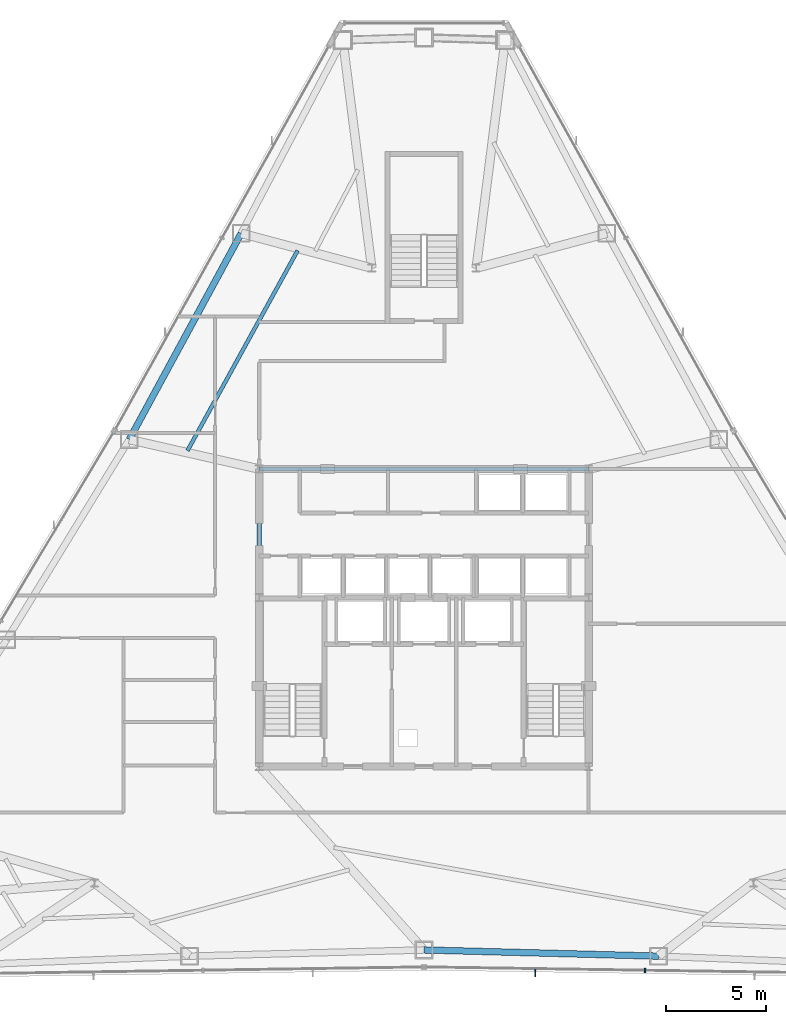
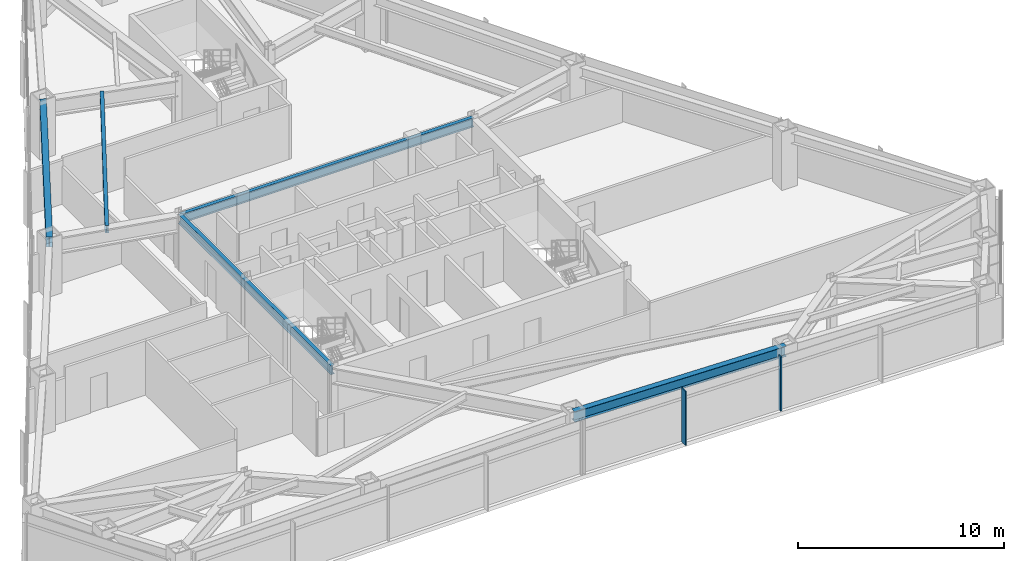
# One storey, part 5 of 13: 5 beams, 2 members, 1 element without a shape of its own.
"""IFC4 building model written with IfcOpenShell, lengths in metres."""

from ifc_helpers import new_model, si_unit, direction, frame, origin, origin_2d, place, context, subcontext, project, spatial, rectangle, i_section, extrude, source, transform, mapped, material, layer, layer_set, material_profile, profile_set, type_object, type_shapes, element, aggregate, save


model = new_model("IFC4")

# Units and contexts
model_context = context("Model", 3, precision=1e-05, world=origin(), true_north=direction((0.0, 1.0)))
body_context = subcontext(model_context, "Body", "Model", "MODEL_VIEW")
ifc_project = project(units=[si_unit("LENGTHUNIT", "METRE"), si_unit("AREAUNIT", "SQUARE_METRE"), si_unit("VOLUMEUNIT", "CUBIC_METRE"), si_unit("PLANEANGLEUNIT", "RADIAN"), si_unit("MASSUNIT", "GRAM", prefix="KILO")], contexts=[model_context])

# Site, building, storey
site_placement = place(None, origin())
site = spatial("IfcSite", under=ifc_project, at=site_placement, CompositionType="ELEMENT")
building_placement = place(site_placement, origin())
building = spatial("IfcBuilding", under=site, at=building_placement, Name="Varakhsha Concourse Tower", CompositionType="ELEMENT")
storey_placement = place(building_placement, frame((0.0, 0.0, 147.050048828125)))
storey = spatial("IfcBuildingStorey", under=building, at=storey_placement, Name="L42", CompositionType="ELEMENT", Elevation=147.050048828125)

# Beams
ifc_material_1 = material(Name="Structural Steel ASTM A992 Grade 50", Category="steel")
ifc_material_profile_1 = material_profile(ifc_material_1, i_section(OverallWidth=0.19091796875, OverallDepth=0.45703125, WebThickness=0.009033203125, FlangeThickness=0.013916015625, at=origin_2d()), Name="W18X50")
ifc_profile_set_1 = profile_set([ifc_material_profile_1], Name="Structural Steel ASTM A992 Grade 50")
beam_type_1 = type_object("IfcBeamType", Name="BM-JST-W18X50", PredefinedType="JOIST", material=ifc_profile_set_1)
beam_1_placement = place(storey_placement, frame((33.708984375, 42.07470703125, 2.9814453125), z_axis=(-0.482050703663, -0.876143321094, 0.0), x_axis=(0.876143321094, -0.482050703663, 0.0)))
element("IfcBeam", 1, at=beam_1_placement, inside=storey, type_object=beam_type_1, Name="BM-TJST-L42-04", PredefinedType="JOIST", context=body_context, shape_type="SweptSolid", body=[
    extrude(i_section(OverallWidth=0.19091796875, OverallDepth=0.45703125, WebThickness=0.009033203125, FlangeThickness=0.013916015625, at=origin_2d()), origin(), (0.0, 0.0, 1.0), 11.363525390625),
])
ifc_material_profile_2 = material_profile(ifc_material_1, i_section(OverallWidth=0.2109375, OverallDepth=0.5390625, WebThickness=0.011962890625, FlangeThickness=0.01904296875, at=origin_2d()), Name="W21X73")
ifc_profile_set_2 = profile_set([ifc_material_profile_2], Name="Structural Steel ASTM A992 Grade 50")
beam_type_2 = type_object("IfcBeamType", Name="BM-RAD-W21X73", PredefinedType="BEAM", material=ifc_profile_set_2)
beam_2_placement = place(storey_placement, frame((31.800048828125, 31.199951171875, 2.9404296875), z_axis=(1.0, 0.0, 0.0), x_axis=(0.0, 1.0, 0.0)))
element("IfcBeam", 2, at=beam_2_placement, inside=storey, type_object=beam_type_2, Name="BM-TCORE-L42-CN", PredefinedType="BEAM", context=body_context, shape_type="SweptSolid", body=[
    extrude(i_section(OverallWidth=0.2109375, OverallDepth=0.5390625, WebThickness=0.011962890625, FlangeThickness=0.01904296875, at=origin_2d()), origin(), (0.0, 0.0, 1.0), 16.39990234375),
])
beam_3_placement = place(storey_placement, frame((31.800048828125, 16.39990234375, 2.9404296875), z_axis=(0.0, 1.0, 0.0), x_axis=(-1.0, 0.0, 0.0)))
element("IfcBeam", 3, at=beam_3_placement, inside=storey, type_object=beam_type_2, Name="BM-TCORE-L42-CW", PredefinedType="BEAM", context=body_context, shape_type="SweptSolid", body=[
    extrude(i_section(OverallWidth=0.2109375, OverallDepth=0.5390625, WebThickness=0.011962890625, FlangeThickness=0.01904296875, at=origin_2d()), origin(), (0.0, 0.0, 1.0), 14.800048828125),
])
ifc_material_profile_3 = material_profile(ifc_material_1, i_section(OverallWidth=0.323974609375, OverallDepth=0.611083984375, WebThickness=0.012939453125, FlangeThickness=0.01904296875, at=origin_2d()), Name="W24X104")
ifc_profile_set_3 = profile_set([ifc_material_profile_3], Name="Structural Steel ASTM A992 Grade 50")
beam_type_3 = type_object("IfcBeamType", Name="BM-SPAN-W24X104", PredefinedType="SPANDREL", material=ifc_profile_set_3)
for number, where, z_axis, x_axis, name in (
    (4, (30.90380859375, 42.933837890625, 2.904541015625), (-0.476994069137, -0.878906512667, 0.0), (0.878906512667, -0.476994069137, 0.0), "BM-SPAN-L42-04"),
    (5, (40.0, 7.263427734375, 2.904541015625), (0.999652558255, -0.026358353044, 0.0), (0.026358353044, 0.999652558255, 0.0), "BM-SPAN-L42-11"),
):
    element("IfcBeam", number, at=place(storey_placement, frame(where, z_axis=z_axis, x_axis=x_axis)), inside=storey, type_object=beam_type_3, Name=name, PredefinedType="SPANDREL", context=body_context, shape_type="SweptSolid", body=[
        extrude(i_section(OverallWidth=0.323974609375, OverallDepth=0.611083984375, WebThickness=0.012939453125, FlangeThickness=0.01904296875, at=origin_2d()), origin(), (0.0, 0.0, 1.0), 11.679931640625),
    ])

# Curtain wall, members
ifc_material_2 = material(Name="Anodised Bronze Architectural Aluminium AA 6063-T6", Category="aluminium")
ifc_layer = layer(ifc_material_2, 0.2099609375, Name="CW-SYS-04")
ifc_layer_set = layer_set([ifc_layer], Name="Anodised Bronze Architectural Aluminium AA 6063-T6")
curtain_wall_type = type_object("IfcCurtainWallType", Name="CW-SYS-04", PredefinedType="NOTDEFINED", material=ifc_layer_set)
curtain_wall_placement = place(storey_placement, origin())
curtain_wall = element("IfcCurtainWall", 6, at=curtain_wall_placement, inside=storey, type_object=curtain_wall_type, Name="L42 Crystal Curtain Wall F6", PredefinedType="NOTDEFINED")
ifc_material_profile_4 = material_profile(ifc_material_2, rectangle(XDim=0.074951171875, YDim=0.219970703125, at=origin_2d()), Name="CWM-220X75")
ifc_profile_set_4 = profile_set([ifc_material_profile_4], Name="Anodised Bronze Architectural Aluminium AA 6063-T6")
member_type_1 = type_object("IfcMemberType", Name="CWM-220X75", PredefinedType="MULLION", material=ifc_profile_set_4)
shared_shape_1 = source(origin(), body_context, "Body", "SweptSolid", [
    extrude(rectangle(XDim=0.074951171875, YDim=0.219970703125, at=origin_2d()), origin(), (0.0, 0.0, 1.0), 3.2099609375),
])
type_shapes(member_type_1, [shared_shape_1])
member_1_placement = place(storey_placement, frame((50.994873046875, 6.245849609375, 0.0), z_axis=(0.0, 0.0, 1.0), x_axis=(-0.99988654105, 0.015063367057, 0.0)))
member_1 = element("IfcMember", 7, at=member_1_placement, type_object=member_type_1, Name="CW-L42-F6 Mullion 01", PredefinedType="MULLION", context=body_context, shape_type="MappedRepresentation", body=[
    mapped(shared_shape_1, transform((0.0, 0.0, 0.0), scale=1.0)),
])
ifc_material_profile_5 = material_profile(ifc_material_2, rectangle(XDim=0.06005859375, YDim=0.3798828125, at=origin_2d()), Name="FIN-BRZ-380")
ifc_profile_set_5 = profile_set([ifc_material_profile_5], Name="Anodised Bronze Architectural Aluminium AA 6063-T6")
member_type_2 = type_object("IfcMemberType", Name="FIN-BRZ-380", PredefinedType="USERDEFINED", material=ifc_profile_set_5)
shared_shape_2 = source(origin(), body_context, "Body", "SweptSolid", [
    extrude(rectangle(XDim=0.06005859375, YDim=0.3798828125, at=origin_2d()), origin(), (0.0, 0.0, 1.0), 3.2099609375),
])
type_shapes(member_type_2, [shared_shape_2])
member_2_placement = place(storey_placement, frame((45.53564453125, 6.123046875, 0.0), z_axis=(0.0, 0.0, 1.0), x_axis=(1.0, 0.0, 0.0)))
member_2 = element("IfcMember", 8, at=member_2_placement, type_object=member_type_2, Name="L42 Anodised Bronze Solar Fin F6-2", ObjectType="SOLAR FIN", PredefinedType="USERDEFINED", context=body_context, shape_type="MappedRepresentation", body=[
    mapped(shared_shape_2, transform((0.0, 0.0, 0.0), scale=1.0)),
])
aggregate(curtain_wall, [member_1, member_2])

save(model, "model.ifc")
